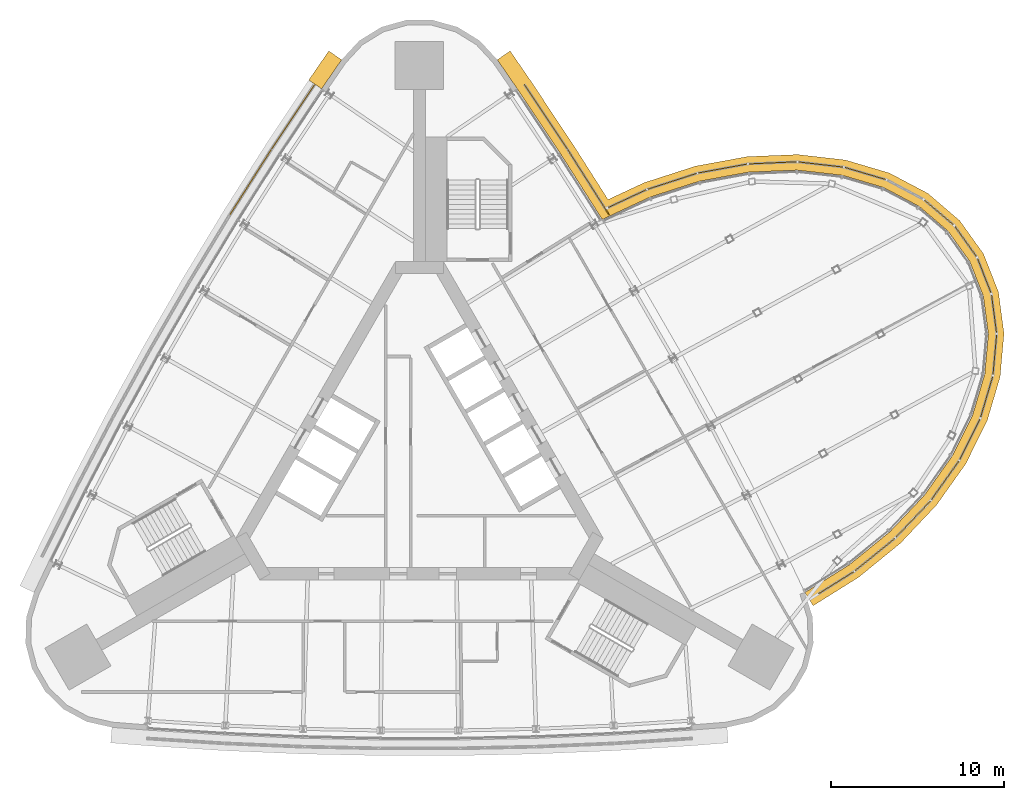
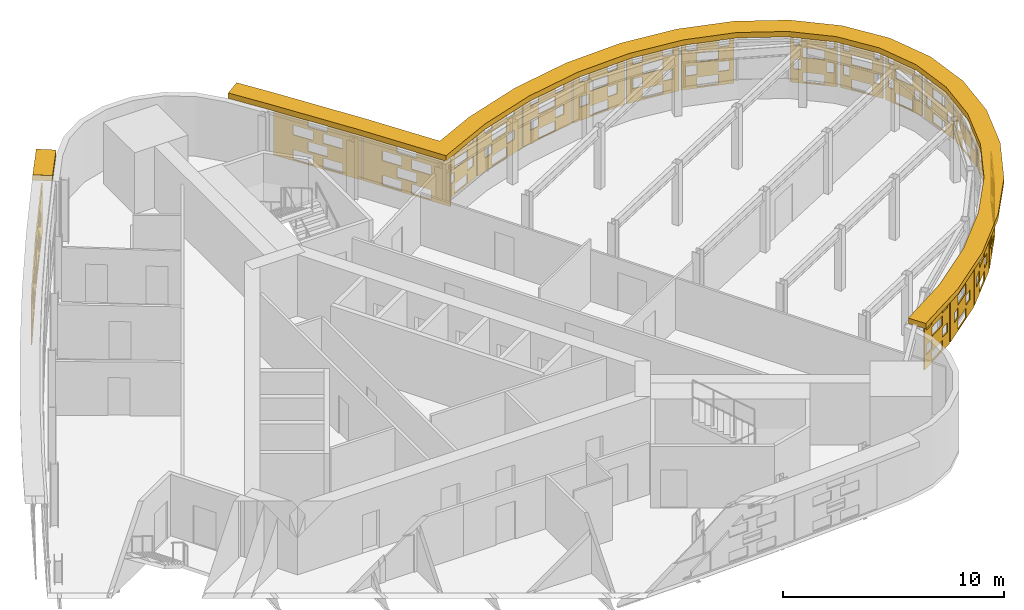
# One storey, part 14 of 15: 23 shading devices.
"""IFC4 building model written with IfcOpenShell, lengths in metres."""

from ifc_helpers import new_model, si_unit, direction, frame, origin, place, context, subcontext, project, spatial, polyline, outline, extrude, material, layer, layer_set, material_profile, profile_set, type_object, element, save


model = new_model("IFC4")

# Units and contexts
model_context = context("Model", 3, precision=1e-05, world=origin(), true_north=direction((0.0, 1.0)))
body_context = subcontext(model_context, "Body", "Model", "MODEL_VIEW")
ifc_project = project(units=[si_unit("LENGTHUNIT", "METRE"), si_unit("AREAUNIT", "SQUARE_METRE"), si_unit("VOLUMEUNIT", "CUBIC_METRE"), si_unit("PLANEANGLEUNIT", "RADIAN"), si_unit("MASSUNIT", "GRAM", prefix="KILO")], contexts=[model_context])

# Site, building, storey
site_placement = place(None, origin())
site = spatial("IfcSite", under=ifc_project, at=site_placement, CompositionType="ELEMENT")
building_placement = place(site_placement, origin())
building = spatial("IfcBuilding", under=site, at=building_placement, Name="Noor Cloister Tower", CompositionType="ELEMENT")
storey_placement = place(building_placement, frame((0.0, 0.0, 181.5)))
storey = spatial("IfcBuildingStorey", under=building, at=storey_placement, Name="L46", CompositionType="ELEMENT", Elevation=181.5)

# Shading devices
ifc_material_1 = material(Name="Limestone", Category="masonry")
ifc_material_profile = material_profile(ifc_material_1, outline(polyline([(-2.22998046875, -1.35009765625), (2.22998046875, -1.35009765625), (2.22998046875, 1.35009765625), (-2.22998046875, 1.35009765625), (-2.22998046875, -1.35009765625)]), holes=[polyline([(-1.25, -1.282470703125), (-0.25, -1.282470703125), (-0.25, -0.742431640625), (-1.25, -0.742431640625), (-1.25, -1.282470703125)]), polyline([(0.25, -1.282470703125), (1.25, -1.282470703125), (1.25, -0.742431640625), (0.25, -0.742431640625), (0.25, -1.282470703125)]), polyline([(-0.5, -0.607421875), (0.5, -0.607421875), (0.5, -0.0673828125), (-0.5, -0.0673828125), (-0.5, -0.607421875)]), polyline([(-1.25, 0.0673828125), (-0.25, 0.0673828125), (-0.25, 0.607421875), (-1.25, 0.607421875), (-1.25, 0.0673828125)]), polyline([(0.25, 0.0673828125), (1.25, 0.0673828125), (1.25, 0.607421875), (0.25, 0.607421875), (0.25, 0.0673828125)]), polyline([(-0.5, 0.742431640625), (0.5, 0.742431640625), (0.5, 1.282470703125), (-0.5, 1.282470703125), (-0.5, 0.742431640625)])]), Name="Woven screen 32 percent open")
ifc_profile_set = profile_set([ifc_material_profile], Name="Limestone")
shading_device_type_1 = type_object("IfcShadingDeviceType", Name="SCREEN woven limestone 32 percent open", PredefinedType="USERDEFINED", material=ifc_profile_set)
shading_device_1_placement = place(storey_placement, frame((-7.2734375, 19.809326171875, 1.85009765625), z_axis=(-0.832050294338, 0.554700196225, 0.0), x_axis=(-0.554700196225, -0.832050294338, 0.0)))
element("IfcShadingDevice", 1, at=shading_device_1_placement, inside=storey, type_object=shading_device_type_1, Name="SCREEN L46 1", ObjectType="SCREEN", PredefinedType="USERDEFINED", context=body_context, shape_type="SweptSolid", body=[
    extrude(outline(polyline([(-2.22998046875, -1.35009765625), (2.22998046875, -1.35009765625), (2.22998046875, 1.35009765625), (-2.22998046875, 1.35009765625), (-2.22998046875, -1.35009765625)]), holes=[polyline([(-1.25, -1.282470703125), (-0.25, -1.282470703125), (-0.25, -0.742431640625), (-1.25, -0.742431640625), (-1.25, -1.282470703125)]), polyline([(0.25, -1.282470703125), (1.25, -1.282470703125), (1.25, -0.742431640625), (0.25, -0.742431640625), (0.25, -1.282470703125)]), polyline([(-0.5, -0.607421875), (0.5, -0.607421875), (0.5, -0.0673828125), (-0.5, -0.0673828125), (-0.5, -0.607421875)]), polyline([(-1.25, 0.0673828125), (-0.25, 0.0673828125), (-0.25, 0.607421875), (-1.25, 0.607421875), (-1.25, 0.0673828125)]), polyline([(0.25, 0.0673828125), (1.25, 0.0673828125), (1.25, 0.607421875), (0.25, 0.607421875), (0.25, 0.0673828125)]), polyline([(-0.5, 0.742431640625), (0.5, 0.742431640625), (0.5, 1.282470703125), (-0.5, 1.282470703125), (-0.5, 0.742431640625)])]), origin(), (0.0, 0.0, 1.0), 0.059814453125),
])
for number, where, z_axis, x_axis, name in (
    (2, (-9.7314453125, 16.029052734375, 1.85009765625), (-0.844329420183, 0.535824439731, 0.0), (-0.535824439731, -0.844329420183, 0.0), "SCREEN L46 2"),
    (3, (9.7314453125, 16.029052734375, 1.85009765625), (0.844329420183, 0.535824439731, 0.0), (-0.535824439731, 0.844329420183, 0.0), "SCREEN L46 19"),
):
    element("IfcShadingDevice", number, at=place(storey_placement, frame(where, z_axis=z_axis, x_axis=x_axis)), inside=storey, type_object=shading_device_type_1, Name=name, ObjectType="SCREEN", PredefinedType="USERDEFINED", context=body_context, shape_type="SweptSolid", body=[
        extrude(outline(polyline([(-2.22998046875, -1.35009765625), (2.22998046875, -1.35009765625), (2.22998046875, 1.35009765625), (-2.22998046875, 1.35009765625), (-2.22998046875, -1.35009765625)]), holes=[polyline([(-1.25, -1.282470703125), (-0.25, -1.282470703125), (-0.25, -0.742431640625), (-1.25, -0.742431640625), (-1.25, -1.282470703125)]), polyline([(0.25, -1.282470703125), (1.25, -1.282470703125), (1.25, -0.742431640625), (0.25, -0.742431640625), (0.25, -1.282470703125)]), polyline([(-0.5, -0.607421875), (0.5, -0.607421875), (0.5, -0.0673828125), (-0.5, -0.0673828125), (-0.5, -0.607421875)]), polyline([(-1.25, 0.0673828125), (-0.25, 0.0673828125), (-0.25, 0.607421875), (-1.25, 0.607421875), (-1.25, 0.0673828125)]), polyline([(0.25, 0.0673828125), (1.25, 0.0673828125), (1.25, 0.607421875), (0.25, 0.607421875), (0.25, 0.0673828125)]), polyline([(-0.5, 0.742431640625), (0.5, 0.742431640625), (0.5, 1.282470703125), (-0.5, 1.282470703125), (-0.5, 0.742431640625)])]), origin(), (0.0, 0.0, 1.0), 0.06005859375),
    ])
shading_device_2_placement = place(storey_placement, frame((7.2734375, 19.809326171875, 1.85009765625), z_axis=(0.832050294338, 0.554700196225, 0.0), x_axis=(-0.554700196225, 0.832050294338, 0.0)))
element("IfcShadingDevice", 4, at=shading_device_2_placement, inside=storey, type_object=shading_device_type_1, Name="SCREEN L46 20", ObjectType="SCREEN", PredefinedType="USERDEFINED", context=body_context, shape_type="SweptSolid", body=[
    extrude(outline(polyline([(-2.22998046875, -1.35009765625), (2.22998046875, -1.35009765625), (2.22998046875, 1.35009765625), (-2.22998046875, 1.35009765625), (-2.22998046875, -1.35009765625)]), holes=[polyline([(-1.25, -1.282470703125), (-0.25, -1.282470703125), (-0.25, -0.742431640625), (-1.25, -0.742431640625), (-1.25, -1.282470703125)]), polyline([(0.25, -1.282470703125), (1.25, -1.282470703125), (1.25, -0.742431640625), (0.25, -0.742431640625), (0.25, -1.282470703125)]), polyline([(-0.5, -0.607421875), (0.5, -0.607421875), (0.5, -0.0673828125), (-0.5, -0.0673828125), (-0.5, -0.607421875)]), polyline([(-1.25, 0.0673828125), (-0.25, 0.0673828125), (-0.25, 0.607421875), (-1.25, 0.607421875), (-1.25, 0.0673828125)]), polyline([(0.25, 0.0673828125), (1.25, 0.0673828125), (1.25, 0.607421875), (0.25, 0.607421875), (0.25, 0.0673828125)]), polyline([(-0.5, 0.742431640625), (0.5, 0.742431640625), (0.5, 1.282470703125), (-0.5, 1.282470703125), (-0.5, 0.742431640625)])]), origin(), (0.0, 0.0, 1.0), 0.059814453125),
])
ifc_material_2 = material(Name="Limestone", Category="masonry")
ifc_layer = layer(ifc_material_2, 0.06005859375)
ifc_layer_set = layer_set([ifc_layer], Name="SCREEN woven limestone pod 32 percent open")
shading_device_type_2 = type_object("IfcShadingDeviceType", Name="SCREEN woven limestone pod 32 percent open", PredefinedType="USERDEFINED", material=ifc_layer_set)
shading_device_3_placement = place(storey_placement, frame((24.048583984375, -7.07763671875, 1.85009765625), z_axis=(0.529998940003, -0.847998304005, 0.0), x_axis=(0.847998304005, 0.529998940003, 0.0)))
element("IfcShadingDevice", 5, at=shading_device_3_placement, inside=storey, type_object=shading_device_type_2, Name="SCREEN L46 1", ObjectType="SCREEN", PredefinedType="USERDEFINED", context=body_context, shape_type="SweptSolid", body=[
    extrude(outline(polyline([(-1.202392578125, -1.35009765625), (1.202392578125, -1.35009765625), (1.202392578125, 1.35009765625), (-1.202392578125, 1.35009765625), (-1.202392578125, -1.35009765625)]), holes=[polyline([(-0.5, -1.272216796875), (0.5, -1.272216796875), (0.5, -0.7529296875), (-0.5, -0.7529296875), (-0.5, -1.272216796875)]), polyline([(-1.0, -0.59716796875), (-0.5, -0.59716796875), (-0.5, -0.077880859375), (-1.0, -0.077880859375), (-1.0, -0.59716796875)]), polyline([(0.5, -0.59716796875), (1.0, -0.59716796875), (1.0, -0.077880859375), (0.5, -0.077880859375), (0.5, -0.59716796875)]), polyline([(-0.5, 0.077880859375), (0.5, 0.077880859375), (0.5, 0.59716796875), (-0.5, 0.59716796875), (-0.5, 0.077880859375)]), polyline([(-1.0, 0.7529296875), (-0.5, 0.7529296875), (-0.5, 1.272216796875), (-1.0, 1.272216796875), (-1.0, 0.7529296875)]), polyline([(0.5, 0.7529296875), (1.0, 0.7529296875), (1.0, 1.272216796875), (0.5, 1.272216796875), (0.5, 0.7529296875)])]), origin(), (0.0, 0.0, 1.0), 0.059814453125),
])
shading_device_4_placement = place(storey_placement, frame((26.29296875, -5.45068359375, 1.85009765625), z_axis=(0.630133366333, -0.776486922384, 0.0), x_axis=(0.776486922384, 0.630133366333, 0.0)))
element("IfcShadingDevice", 6, at=shading_device_4_placement, inside=storey, type_object=shading_device_type_2, Name="SCREEN L46 2", ObjectType="SCREEN", PredefinedType="USERDEFINED", context=body_context, shape_type="SweptSolid", body=[
    extrude(outline(polyline([(-1.47900390625, -1.35009765625), (1.47900390625, -1.35009765625), (1.47900390625, 1.35009765625), (-1.47900390625, 1.35009765625), (-1.47900390625, -1.35009765625)]), holes=[polyline([(-0.5, -1.282470703125), (0.5, -1.282470703125), (0.5, -0.742431640625), (-0.5, -0.742431640625), (-0.5, -1.282470703125)]), polyline([(-1.0, -0.607421875), (-0.5, -0.607421875), (-0.5, -0.0673828125), (-1.0, -0.0673828125), (-1.0, -0.607421875)]), polyline([(0.5, -0.607421875), (1.0, -0.607421875), (1.0, -0.0673828125), (0.5, -0.0673828125), (0.5, -0.607421875)]), polyline([(-0.5, 0.0673828125), (0.5, 0.0673828125), (0.5, 0.607421875), (-0.5, 0.607421875), (-0.5, 0.0673828125)]), polyline([(-1.0, 0.742431640625), (-0.5, 0.742431640625), (-0.5, 1.282470703125), (-1.0, 1.282470703125), (-1.0, 0.742431640625)]), polyline([(0.5, 0.742431640625), (1.0, 0.742431640625), (1.0, 1.282470703125), (0.5, 1.282470703125), (0.5, 0.742431640625)])]), origin(), (0.0, 0.0, 1.0), 0.06005859375),
])
shading_device_5_placement = place(storey_placement, frame((28.49755859375, -3.40771484375, 1.85009765625), z_axis=(0.725202842945, -0.688535283471, 0.0), x_axis=(0.688535283471, 0.725202842945, 0.0)))
element("IfcShadingDevice", 7, at=shading_device_5_placement, inside=storey, type_object=shading_device_type_2, Name="SCREEN L46 3", ObjectType="SCREEN", PredefinedType="USERDEFINED", context=body_context, shape_type="SweptSolid", body=[
    extrude(outline(polyline([(-1.434326171875, -1.35009765625), (1.434326171875, -1.35009765625), (1.434326171875, 1.35009765625), (-1.434326171875, 1.35009765625), (-1.434326171875, -1.35009765625)]), holes=[polyline([(-0.5, -1.282470703125), (0.5, -1.282470703125), (0.5, -0.742431640625), (-0.5, -0.742431640625), (-0.5, -1.282470703125)]), polyline([(-1.0, -0.607421875), (-0.5, -0.607421875), (-0.5, -0.0673828125), (-1.0, -0.0673828125), (-1.0, -0.607421875)]), polyline([(0.5, -0.607421875), (1.0, -0.607421875), (1.0, -0.0673828125), (0.5, -0.0673828125), (0.5, -0.607421875)]), polyline([(-0.5, 0.0673828125), (0.5, 0.0673828125), (0.5, 0.607421875), (-0.5, 0.607421875), (-0.5, 0.0673828125)]), polyline([(-1.0, 0.742431640625), (-0.5, 0.742431640625), (-0.5, 1.282470703125), (-1.0, 1.282470703125), (-1.0, 0.742431640625)]), polyline([(0.5, 0.742431640625), (1.0, 0.742431640625), (1.0, 1.282470703125), (0.5, 1.282470703125), (0.5, 0.742431640625)])]), origin(), (0.0, 0.0, 1.0), 0.059814453125),
])
shading_device_6_placement = place(storey_placement, frame((30.341796875, -1.167236328125, 1.85009765625), z_axis=(0.81538298462, -0.57892191908, 0.0), x_axis=(0.57892191908, 0.81538298462, 0.0)))
element("IfcShadingDevice", 8, at=shading_device_6_placement, inside=storey, type_object=shading_device_type_2, Name="SCREEN L46 4", ObjectType="SCREEN", PredefinedType="USERDEFINED", context=body_context, shape_type="SweptSolid", body=[
    extrude(outline(polyline([(-1.37158203125, -1.35009765625), (1.37158203125, -1.35009765625), (1.37158203125, 1.35009765625), (-1.37158203125, 1.35009765625), (-1.37158203125, -1.35009765625)]), holes=[polyline([(-0.5, -1.282470703125), (0.5, -1.282470703125), (0.5, -0.742431640625), (-0.5, -0.742431640625), (-0.5, -1.282470703125)]), polyline([(-1.0, -0.607421875), (-0.5, -0.607421875), (-0.5, -0.0673828125), (-1.0, -0.0673828125), (-1.0, -0.607421875)]), polyline([(0.5, -0.607421875), (1.0, -0.607421875), (1.0, -0.0673828125), (0.5, -0.0673828125), (0.5, -0.607421875)]), polyline([(-0.5, 0.0673828125), (0.5, 0.0673828125), (0.5, 0.607421875), (-0.5, 0.607421875), (-0.5, 0.0673828125)]), polyline([(-1.0, 0.742431640625), (-0.5, 0.742431640625), (-0.5, 1.282470703125), (-1.0, 1.282470703125), (-1.0, 0.742431640625)]), polyline([(0.5, 0.742431640625), (1.0, 0.742431640625), (1.0, 1.282470703125), (0.5, 1.282470703125), (0.5, 0.742431640625)])]), origin(), (0.0, 0.0, 1.0), 0.059814453125),
])
shading_device_7_placement = place(storey_placement, frame((31.769775390625, 1.20654296875, 1.85009765625), z_axis=(0.894427191, -0.4472135955, 0.0), x_axis=(0.4472135955, 0.894427191, 0.0)))
element("IfcShadingDevice", 9, at=shading_device_7_placement, inside=storey, type_object=shading_device_type_2, Name="SCREEN L46 5", ObjectType="SCREEN", PredefinedType="USERDEFINED", context=body_context, shape_type="SweptSolid", body=[
    extrude(outline(polyline([(-1.296875, -1.35009765625), (1.296875, -1.35009765625), (1.296875, 1.35009765625), (-1.296875, 1.35009765625), (-1.296875, -1.35009765625)]), holes=[polyline([(-0.5, -1.282470703125), (0.5, -1.282470703125), (0.5, -0.742431640625), (-0.5, -0.742431640625), (-0.5, -1.282470703125)]), polyline([(-1.0, -0.607421875), (-0.5, -0.607421875), (-0.5, -0.0673828125), (-1.0, -0.0673828125), (-1.0, -0.607421875)]), polyline([(0.5, -0.607421875), (1.0, -0.607421875), (1.0, -0.0673828125), (0.5, -0.0673828125), (0.5, -0.607421875)]), polyline([(-0.5, 0.0673828125), (0.5, 0.0673828125), (0.5, 0.607421875), (-0.5, 0.607421875), (-0.5, 0.0673828125)]), polyline([(-1.0, 0.742431640625), (-0.5, 0.742431640625), (-0.5, 1.282470703125), (-1.0, 1.282470703125), (-1.0, 0.742431640625)]), polyline([(0.5, 0.742431640625), (1.0, 0.742431640625), (1.0, 1.282470703125), (0.5, 1.282470703125), (0.5, 0.742431640625)])]), origin(), (0.0, 0.0, 1.0), 0.06005859375),
])
shading_device_8_placement = place(storey_placement, frame((32.736328125, 3.645263671875, 1.85009765625), z_axis=(0.958716108487, -0.284364947432, 0.0), x_axis=(0.284364947432, 0.958716108487, 0.0)))
element("IfcShadingDevice", 10, at=shading_device_8_placement, inside=storey, type_object=shading_device_type_2, Name="SCREEN L46 6", ObjectType="SCREEN", PredefinedType="USERDEFINED", context=body_context, shape_type="SweptSolid", body=[
    extrude(outline(polyline([(-1.2177734375, -1.35009765625), (1.2177734375, -1.35009765625), (1.2177734375, 1.35009765625), (-1.2177734375, 1.35009765625), (-1.2177734375, -1.35009765625)]), holes=[polyline([(-0.5, -1.275634765625), (0.5, -1.275634765625), (0.5, -0.74951171875), (-0.5, -0.74951171875), (-0.5, -1.275634765625)]), polyline([(-1.0, -0.6005859375), (-0.5, -0.6005859375), (-0.5, -0.074462890625), (-1.0, -0.074462890625), (-1.0, -0.6005859375)]), polyline([(0.5, -0.6005859375), (1.0, -0.6005859375), (1.0, -0.074462890625), (0.5, -0.074462890625), (0.5, -0.6005859375)]), polyline([(-0.5, 0.074462890625), (0.5, 0.074462890625), (0.5, 0.6005859375), (-0.5, 0.6005859375), (-0.5, 0.074462890625)]), polyline([(-1.0, 0.74951171875), (-0.5, 0.74951171875), (-0.5, 1.275634765625), (-1.0, 1.275634765625), (-1.0, 0.74951171875)]), polyline([(0.5, 0.74951171875), (1.0, 0.74951171875), (1.0, 1.275634765625), (0.5, 1.275634765625), (0.5, 0.74951171875)])]), origin(), (0.0, 0.0, 1.0), 0.06005859375),
])
shading_device_9_placement = place(storey_placement, frame((33.2080078125, 6.078369140625, 1.85009765625), z_axis=(0.995959849254, -0.089799658539, 0.0), x_axis=(0.089799658539, 0.995959849254, 0.0)))
element("IfcShadingDevice", 11, at=shading_device_9_placement, inside=storey, type_object=shading_device_type_2, Name="SCREEN L46 7", ObjectType="SCREEN", PredefinedType="USERDEFINED", context=body_context, shape_type="SweptSolid", body=[
    extrude(outline(polyline([(-1.1435546875, -1.35009765625), (1.1435546875, -1.35009765625), (1.1435546875, 1.35009765625), (-1.1435546875, 1.35009765625), (-1.1435546875, -1.35009765625)]), holes=[polyline([(-0.5, -1.282470703125), (0.5, -1.282470703125), (0.5, -0.742431640625), (-0.5, -0.742431640625), (-0.5, -1.282470703125)]), polyline([(0.60009765625, -0.607421875), (0.993408203125, -0.607421875), (0.993408203125, -0.0673828125), (0.60009765625, -0.0673828125), (0.60009765625, -0.607421875)]), polyline([(-0.993408203125, -0.607421875), (-0.60009765625, -0.607421875), (-0.60009765625, -0.0673828125), (-0.993408203125, -0.0673828125), (-0.993408203125, -0.607421875)]), polyline([(-0.5, 0.0673828125), (0.5, 0.0673828125), (0.5, 0.607421875), (-0.5, 0.607421875), (-0.5, 0.0673828125)]), polyline([(0.60009765625, 0.742431640625), (0.993408203125, 0.742431640625), (0.993408203125, 1.282470703125), (0.60009765625, 1.282470703125), (0.60009765625, 0.742431640625)]), polyline([(-0.993408203125, 0.742431640625), (-0.60009765625, 0.742431640625), (-0.60009765625, 1.282470703125), (-0.993408203125, 1.282470703125), (-0.993408203125, 0.742431640625)])]), origin(), (0.0, 0.0, 1.0), 0.059814453125),
])
shading_device_10_placement = place(storey_placement, frame((33.163818359375, 8.432373046875, 1.85009765625), z_axis=(0.991509530601, 0.1300340368, 0.0), x_axis=(-0.1300340368, 0.991509530601, 0.0)))
element("IfcShadingDevice", 12, at=shading_device_10_placement, inside=storey, type_object=shading_device_type_2, Name="SCREEN L46 8", ObjectType="SCREEN", PredefinedType="USERDEFINED", context=body_context, shape_type="SweptSolid", body=[
    extrude(outline(polyline([(-1.085205078125, -1.35009765625), (1.085205078125, -1.35009765625), (1.085205078125, 1.35009765625), (-1.085205078125, 1.35009765625), (-1.085205078125, -1.35009765625)]), holes=[polyline([(-0.5, -1.282470703125), (0.5, -1.282470703125), (0.5, -0.742431640625), (-0.5, -0.742431640625), (-0.5, -1.282470703125)]), polyline([(0.60009765625, -0.607421875), (0.935302734375, -0.607421875), (0.935302734375, -0.0673828125), (0.60009765625, -0.0673828125), (0.60009765625, -0.607421875)]), polyline([(-0.935302734375, -0.607421875), (-0.60009765625, -0.607421875), (-0.60009765625, -0.0673828125), (-0.935302734375, -0.0673828125), (-0.935302734375, -0.607421875)]), polyline([(-0.5, 0.0673828125), (0.5, 0.0673828125), (0.5, 0.607421875), (-0.5, 0.607421875), (-0.5, 0.0673828125)]), polyline([(0.60009765625, 0.742431640625), (0.935302734375, 0.742431640625), (0.935302734375, 1.282470703125), (0.60009765625, 1.282470703125), (0.60009765625, 0.742431640625)]), polyline([(-0.935302734375, 0.742431640625), (-0.60009765625, 0.742431640625), (-0.60009765625, 1.282470703125), (-0.935302734375, 1.282470703125), (-0.935302734375, 0.742431640625)])]), origin(), (0.0, 0.0, 1.0), 0.06005859375),
])
for number, where, z_axis, x_axis, name in (
    (13, (32.599609375, 10.631591796875, 1.85009765625), (0.930702085815, 0.365778112329, 0.0), (-0.365778112329, 0.930702085815, 0.0), "SCREEN L46 9"),
    (14, (31.52978515625, 12.600830078125, 1.85009765625), (0.813458563169, 0.581622872666, 0.0), (-0.581622872666, 0.813458563169, 0.0), "SCREEN L46 10"),
):
    element("IfcShadingDevice", number, at=place(storey_placement, frame(where, z_axis=z_axis, x_axis=x_axis)), inside=storey, type_object=shading_device_type_2, Name=name, ObjectType="SCREEN", PredefinedType="USERDEFINED", context=body_context, shape_type="SweptSolid", body=[
        extrude(outline(polyline([(-1.052978515625, -1.35009765625), (1.052978515625, -1.35009765625), (1.052978515625, 1.35009765625), (-1.052978515625, 1.35009765625), (-1.052978515625, -1.35009765625)]), holes=[polyline([(-0.5, -1.282470703125), (0.5, -1.282470703125), (0.5, -0.742431640625), (-0.5, -0.742431640625), (-0.5, -1.282470703125)]), polyline([(0.60009765625, -0.607421875), (0.903076171875, -0.607421875), (0.903076171875, -0.0673828125), (0.60009765625, -0.0673828125), (0.60009765625, -0.607421875)]), polyline([(-0.903076171875, -0.607421875), (-0.60009765625, -0.607421875), (-0.60009765625, -0.0673828125), (-0.903076171875, -0.0673828125), (-0.903076171875, -0.607421875)]), polyline([(-0.5, 0.0673828125), (0.5, 0.0673828125), (0.5, 0.607421875), (-0.5, 0.607421875), (-0.5, 0.0673828125)]), polyline([(0.60009765625, 0.742431640625), (0.903076171875, 0.742431640625), (0.903076171875, 1.282470703125), (0.60009765625, 1.282470703125), (0.60009765625, 0.742431640625)]), polyline([(-0.903076171875, 0.742431640625), (-0.60009765625, 0.742431640625), (-0.60009765625, 1.282470703125), (-0.903076171875, 1.282470703125), (-0.903076171875, 0.742431640625)])]), origin(), (0.0, 0.0, 1.0), 0.06005859375),
    ])
shading_device_11_placement = place(storey_placement, frame((29.9921875, 14.271240234375, 1.85009765625), z_axis=(0.647766670763, 0.761838788884, 0.0), x_axis=(-0.761838788884, 0.647766670763, 0.0)))
element("IfcShadingDevice", 15, at=shading_device_11_placement, inside=storey, type_object=shading_device_type_2, Name="SCREEN L46 11", ObjectType="SCREEN", PredefinedType="USERDEFINED", context=body_context, shape_type="SweptSolid", body=[
    extrude(outline(polyline([(-1.085205078125, -1.35009765625), (1.085205078125, -1.35009765625), (1.085205078125, 1.35009765625), (-1.085205078125, 1.35009765625), (-1.085205078125, -1.35009765625)]), holes=[polyline([(-0.5, -1.282470703125), (0.5, -1.282470703125), (0.5, -0.742431640625), (-0.5, -0.742431640625), (-0.5, -1.282470703125)]), polyline([(0.60009765625, -0.607421875), (0.935302734375, -0.607421875), (0.935302734375, -0.0673828125), (0.60009765625, -0.0673828125), (0.60009765625, -0.607421875)]), polyline([(-0.935302734375, -0.607421875), (-0.60009765625, -0.607421875), (-0.60009765625, -0.0673828125), (-0.935302734375, -0.0673828125), (-0.935302734375, -0.607421875)]), polyline([(-0.5, 0.0673828125), (0.5, 0.0673828125), (0.5, 0.607421875), (-0.5, 0.607421875), (-0.5, 0.0673828125)]), polyline([(0.60009765625, 0.742431640625), (0.935302734375, 0.742431640625), (0.935302734375, 1.282470703125), (0.60009765625, 1.282470703125), (0.60009765625, 0.742431640625)]), polyline([(-0.935302734375, 0.742431640625), (-0.60009765625, 0.742431640625), (-0.60009765625, 1.282470703125), (-0.935302734375, 1.282470703125), (-0.935302734375, 0.742431640625)])]), origin(), (0.0, 0.0, 1.0), 0.059814453125),
])
shading_device_12_placement = place(storey_placement, frame((25.743408203125, 16.518310546875, 1.85009765625), z_axis=(0.284364947432, 0.958716108487, 0.0), x_axis=(-0.958716108487, 0.284364947432, 0.0)))
element("IfcShadingDevice", 16, at=shading_device_12_placement, inside=storey, type_object=shading_device_type_2, Name="SCREEN L46 13", ObjectType="SCREEN", PredefinedType="USERDEFINED", context=body_context, shape_type="SweptSolid", body=[
    extrude(outline(polyline([(-1.2177734375, -1.35009765625), (1.2177734375, -1.35009765625), (1.2177734375, 1.35009765625), (-1.2177734375, 1.35009765625), (-1.2177734375, -1.35009765625)]), holes=[polyline([(-0.5, -1.275634765625), (0.5, -1.275634765625), (0.5, -0.74951171875), (-0.5, -0.74951171875), (-0.5, -1.275634765625)]), polyline([(-1.0, -0.6005859375), (-0.5, -0.6005859375), (-0.5, -0.074462890625), (-1.0, -0.074462890625), (-1.0, -0.6005859375)]), polyline([(0.5, -0.6005859375), (1.0, -0.6005859375), (1.0, -0.074462890625), (0.5, -0.074462890625), (0.5, -0.6005859375)]), polyline([(-0.5, 0.074462890625), (0.5, 0.074462890625), (0.5, 0.6005859375), (-0.5, 0.6005859375), (-0.5, 0.074462890625)]), polyline([(-1.0, 0.74951171875), (-0.5, 0.74951171875), (-0.5, 1.275634765625), (-1.0, 1.275634765625), (-1.0, 0.74951171875)]), polyline([(0.5, 0.74951171875), (1.0, 0.74951171875), (1.0, 1.275634765625), (0.5, 1.275634765625), (0.5, 0.74951171875)])]), origin(), (0.0, 0.0, 1.0), 0.06005859375),
])
shading_device_13_placement = place(storey_placement, frame((23.171630859375, 17.034912109375, 1.85009765625), z_axis=(0.114005909847, 0.993480071526, 0.0), x_axis=(-0.993480071526, 0.114005909847, 0.0)))
element("IfcShadingDevice", 17, at=shading_device_13_placement, inside=storey, type_object=shading_device_type_2, Name="SCREEN L46 14", ObjectType="SCREEN", PredefinedType="USERDEFINED", context=body_context, shape_type="SweptSolid", body=[
    extrude(outline(polyline([(-1.296875, -1.35009765625), (1.296875, -1.35009765625), (1.296875, 1.35009765625), (-1.296875, 1.35009765625), (-1.296875, -1.35009765625)]), holes=[polyline([(-0.5, -1.282470703125), (0.5, -1.282470703125), (0.5, -0.742431640625), (-0.5, -0.742431640625), (-0.5, -1.282470703125)]), polyline([(-1.0, -0.607421875), (-0.5, -0.607421875), (-0.5, -0.0673828125), (-1.0, -0.0673828125), (-1.0, -0.607421875)]), polyline([(0.5, -0.607421875), (1.0, -0.607421875), (1.0, -0.0673828125), (0.5, -0.0673828125), (0.5, -0.607421875)]), polyline([(-0.5, 0.0673828125), (0.5, 0.0673828125), (0.5, 0.607421875), (-0.5, 0.607421875), (-0.5, 0.0673828125)]), polyline([(-1.0, 0.742431640625), (-0.5, 0.742431640625), (-0.5, 1.282470703125), (-1.0, 1.282470703125), (-1.0, 0.742431640625)]), polyline([(0.5, 0.742431640625), (1.0, 0.742431640625), (1.0, 1.282470703125), (0.5, 1.282470703125), (0.5, 0.742431640625)])]), origin(), (0.0, 0.0, 1.0), 0.06005859375),
])
shading_device_14_placement = place(storey_placement, frame((20.403076171875, 17.12890625, 1.85009765625), z_axis=(-0.044670810456, 0.999001761106, 0.0), x_axis=(-0.999001761106, -0.044670810456, 0.0)))
element("IfcShadingDevice", 18, at=shading_device_14_placement, inside=storey, type_object=shading_device_type_2, Name="SCREEN L46 15", ObjectType="SCREEN", PredefinedType="USERDEFINED", context=body_context, shape_type="SweptSolid", body=[
    extrude(outline(polyline([(-1.37158203125, -1.35009765625), (1.37158203125, -1.35009765625), (1.37158203125, 1.35009765625), (-1.37158203125, 1.35009765625), (-1.37158203125, -1.35009765625)]), holes=[polyline([(-0.5, -1.282470703125), (0.5, -1.282470703125), (0.5, -0.742431640625), (-0.5, -0.742431640625), (-0.5, -1.282470703125)]), polyline([(-1.0, -0.607421875), (-0.5, -0.607421875), (-0.5, -0.0673828125), (-1.0, -0.0673828125), (-1.0, -0.607421875)]), polyline([(0.5, -0.607421875), (1.0, -0.607421875), (1.0, -0.0673828125), (0.5, -0.0673828125), (0.5, -0.607421875)]), polyline([(-0.5, 0.0673828125), (0.5, 0.0673828125), (0.5, 0.607421875), (-0.5, 0.607421875), (-0.5, 0.0673828125)]), polyline([(-1.0, 0.742431640625), (-0.5, 0.742431640625), (-0.5, 1.282470703125), (-1.0, 1.282470703125), (-1.0, 0.742431640625)]), polyline([(0.5, 0.742431640625), (1.0, 0.742431640625), (1.0, 1.282470703125), (0.5, 1.282470703125), (0.5, 0.742431640625)])]), origin(), (0.0, 0.0, 1.0), 0.06005859375),
])
shading_device_15_placement = place(storey_placement, frame((17.51953125, 16.80126953125, 1.85009765625), z_axis=(-0.1788854382, 0.9838699101, 0.0), x_axis=(-0.9838699101, -0.1788854382, 0.0)))
element("IfcShadingDevice", 19, at=shading_device_15_placement, inside=storey, type_object=shading_device_type_2, Name="SCREEN L46 16", ObjectType="SCREEN", PredefinedType="USERDEFINED", context=body_context, shape_type="SweptSolid", body=[
    extrude(outline(polyline([(-1.434326171875, -1.35009765625), (1.434326171875, -1.35009765625), (1.434326171875, 1.35009765625), (-1.434326171875, 1.35009765625), (-1.434326171875, -1.35009765625)]), holes=[polyline([(-0.5, -1.282470703125), (0.5, -1.282470703125), (0.5, -0.742431640625), (-0.5, -0.742431640625), (-0.5, -1.282470703125)]), polyline([(-1.0, -0.607421875), (-0.5, -0.607421875), (-0.5, -0.0673828125), (-1.0, -0.0673828125), (-1.0, -0.607421875)]), polyline([(0.5, -0.607421875), (1.0, -0.607421875), (1.0, -0.0673828125), (0.5, -0.0673828125), (0.5, -0.607421875)]), polyline([(-0.5, 0.0673828125), (0.5, 0.0673828125), (0.5, 0.607421875), (-0.5, 0.607421875), (-0.5, 0.0673828125)]), polyline([(-1.0, 0.742431640625), (-0.5, 0.742431640625), (-0.5, 1.282470703125), (-1.0, 1.282470703125), (-1.0, 0.742431640625)]), polyline([(0.5, 0.742431640625), (1.0, 0.742431640625), (1.0, 1.282470703125), (0.5, 1.282470703125), (0.5, 0.742431640625)])]), origin(), (0.0, 0.0, 1.0), 0.06005859375),
])
shading_device_16_placement = place(storey_placement, frame((14.60595703125, 16.06396484375, 1.85009765625), z_axis=(-0.30890225635, 0.951093789288, 0.0), x_axis=(-0.951093789288, -0.30890225635, 0.0)))
element("IfcShadingDevice", 20, at=shading_device_16_placement, inside=storey, type_object=shading_device_type_2, Name="SCREEN L46 17", ObjectType="SCREEN", PredefinedType="USERDEFINED", context=body_context, shape_type="SweptSolid", body=[
    extrude(outline(polyline([(-1.47900390625, -1.35009765625), (1.47900390625, -1.35009765625), (1.47900390625, 1.35009765625), (-1.47900390625, 1.35009765625), (-1.47900390625, -1.35009765625)]), holes=[polyline([(-0.5, -1.282470703125), (0.5, -1.282470703125), (0.5, -0.742431640625), (-0.5, -0.742431640625), (-0.5, -1.282470703125)]), polyline([(-1.0, -0.607421875), (-0.5, -0.607421875), (-0.5, -0.0673828125), (-1.0, -0.0673828125), (-1.0, -0.607421875)]), polyline([(0.5, -0.607421875), (1.0, -0.607421875), (1.0, -0.0673828125), (0.5, -0.0673828125), (0.5, -0.607421875)]), polyline([(-0.5, 0.0673828125), (0.5, 0.0673828125), (0.5, 0.607421875), (-0.5, 0.607421875), (-0.5, 0.0673828125)]), polyline([(-1.0, 0.742431640625), (-0.5, 0.742431640625), (-0.5, 1.282470703125), (-1.0, 1.282470703125), (-1.0, 0.742431640625)]), polyline([(0.5, 0.742431640625), (1.0, 0.742431640625), (1.0, 1.282470703125), (0.5, 1.282470703125), (0.5, 0.742431640625)])]), origin(), (0.0, 0.0, 1.0), 0.06005859375),
])
shading_device_17_placement = place(storey_placement, frame((12.01953125, 15.066650390625, 1.85009765625), z_axis=(-0.422662967166, 0.906286939212, 0.0), x_axis=(-0.906286939212, -0.422662967166, 0.0)))
element("IfcShadingDevice", 21, at=shading_device_17_placement, inside=storey, type_object=shading_device_type_2, Name="SCREEN L46 18", ObjectType="SCREEN", PredefinedType="USERDEFINED", context=body_context, shape_type="SweptSolid", body=[
    extrude(outline(polyline([(-1.202392578125, -1.35009765625), (1.202392578125, -1.35009765625), (1.202392578125, 1.35009765625), (-1.202392578125, 1.35009765625), (-1.202392578125, -1.35009765625)]), holes=[polyline([(-0.5, -1.272216796875), (0.5, -1.272216796875), (0.5, -0.7529296875), (-0.5, -0.7529296875), (-0.5, -1.272216796875)]), polyline([(-1.0, -0.59716796875), (-0.5, -0.59716796875), (-0.5, -0.077880859375), (-1.0, -0.077880859375), (-1.0, -0.59716796875)]), polyline([(0.5, -0.59716796875), (1.0, -0.59716796875), (1.0, -0.077880859375), (0.5, -0.077880859375), (0.5, -0.59716796875)]), polyline([(-0.5, 0.077880859375), (0.5, 0.077880859375), (0.5, 0.59716796875), (-0.5, 0.59716796875), (-0.5, 0.077880859375)]), polyline([(-1.0, 0.7529296875), (-0.5, 0.7529296875), (-0.5, 1.272216796875), (-1.0, 1.272216796875), (-1.0, 0.7529296875)]), polyline([(0.5, 0.7529296875), (1.0, 0.7529296875), (1.0, 1.272216796875), (0.5, 1.272216796875), (0.5, 0.7529296875)])]), origin(), (0.0, 0.0, 1.0), 0.06005859375),
])
ifc_material_3 = material(Name="Limestone", Category="masonry")
shading_device_type_3 = type_object("IfcShadingDeviceType", Name="SUNSHADE limestone band 900", PredefinedType="USERDEFINED", material=ifc_material_3)
shading_device_18_placement = place(storey_placement, frame((0.0, 0.0, 3.300048828125)))
element("IfcShadingDevice", 22, at=shading_device_18_placement, inside=storey, type_object=shading_device_type_3, Name="SUNSHADE L46 3", ObjectType="SUNSHADE", PredefinedType="USERDEFINED", context=body_context, shape_type="SweptSolid", body=[
    extrude(outline(polyline([(22.7421875, -8.42529296875), (25.37109375, -6.781494140625), (27.78515625, -4.81640625), (29.866943359375, -2.6142578125), (31.554443359375, -0.235595703125), (32.794677734375, 2.25537109375), (33.5439453125, 4.790283203125), (33.76904296875, 7.296630859375), (33.44970703125, 9.6953125), (32.586181640625, 11.8994140625), (31.207275390625, 13.82373046875), (29.368896484375, 15.397216796875), (27.1435546875, 16.57275390625), (24.609375, 17.32373046875), (21.8447265625, 17.63916015625), (18.9306640625, 17.518310546875), (15.9501953125, 16.970458984375), (12.98779296875, 16.014892578125), (10.89404296875, 15.038330078125), (8.899658203125, 18.177490234375), (6.397705078125, 21.9375), (5.23828125, 23.623291015625), (4.496826171875, 23.113037109375), (5.65234375, 21.43310546875), (8.145263671875, 17.68701171875), (10.55810546875, 13.888671875), (13.3173828125, 15.175537109375), (16.170654296875, 16.095947265625), (19.03125, 16.62158203125), (21.81201171875, 16.737060546875), (24.428955078125, 16.4384765625), (26.80224609375, 15.735107421875), (28.85986328125, 14.648193359375), (30.5390625, 13.210693359375), (31.7890625, 11.466552734375), (32.572021484375, 9.468505859375), (32.86376953125, 7.27734375), (32.65576171875, 4.959716796875), (31.953857421875, 2.5859375), (30.780029296875, 0.22802734375), (29.16943359375, -2.0419921875), (27.17138671875, -4.155517578125), (24.84619140625, -6.048095703125), (22.264892578125, -7.662353515625), (22.7421875, -8.42529296875)])), origin(), (0.0, 0.0, 1.0), 0.300048828125),
])
shading_device_19_placement = place(storey_placement, frame((0.0, 0.0, 3.300048828125)))
element("IfcShadingDevice", 23, at=shading_device_19_placement, inside=storey, type_object=shading_device_type_3, Name="SUNSHADE L46 4", ObjectType="SUNSHADE", PredefinedType="USERDEFINED", context=body_context, shape_type="SweptSolid", body=[
    extrude(outline(polyline([(-5.23828125, 23.623291015625), (-6.393798828125, 21.943359375), (-5.65234375, 21.43310546875), (-4.496826171875, 23.113037109375), (-5.23828125, 23.623291015625)])), origin(), (0.0, 0.0, 1.0), 0.300048828125),
])

save(model, "model.ifc")
